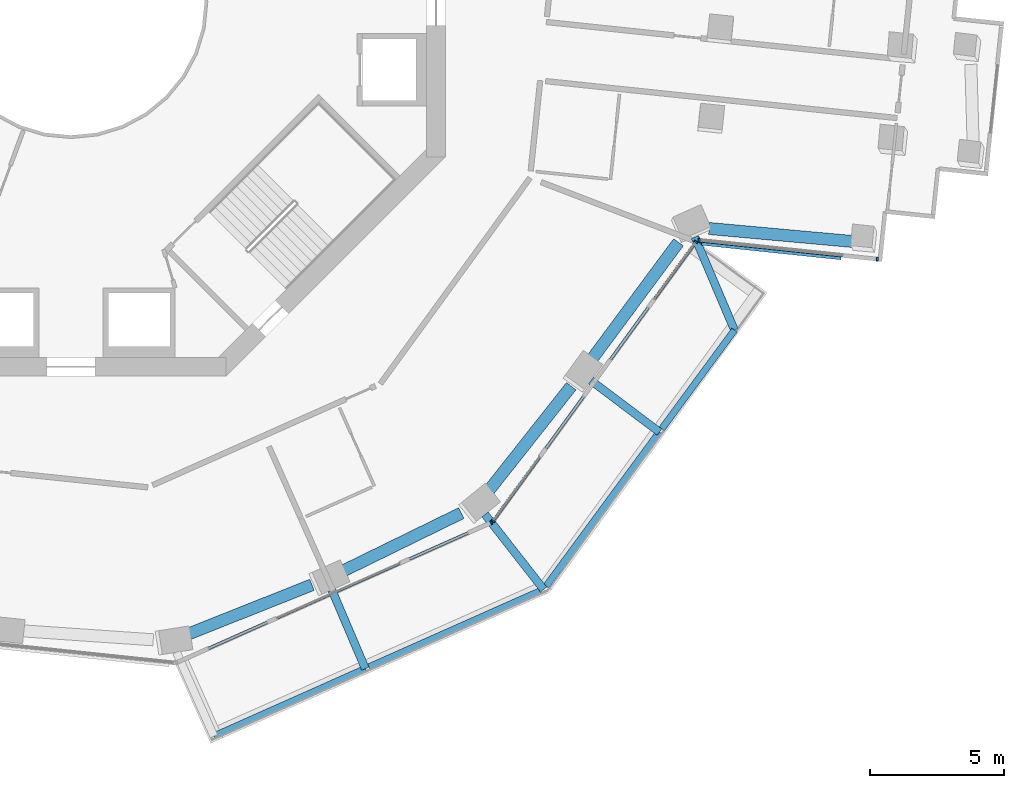
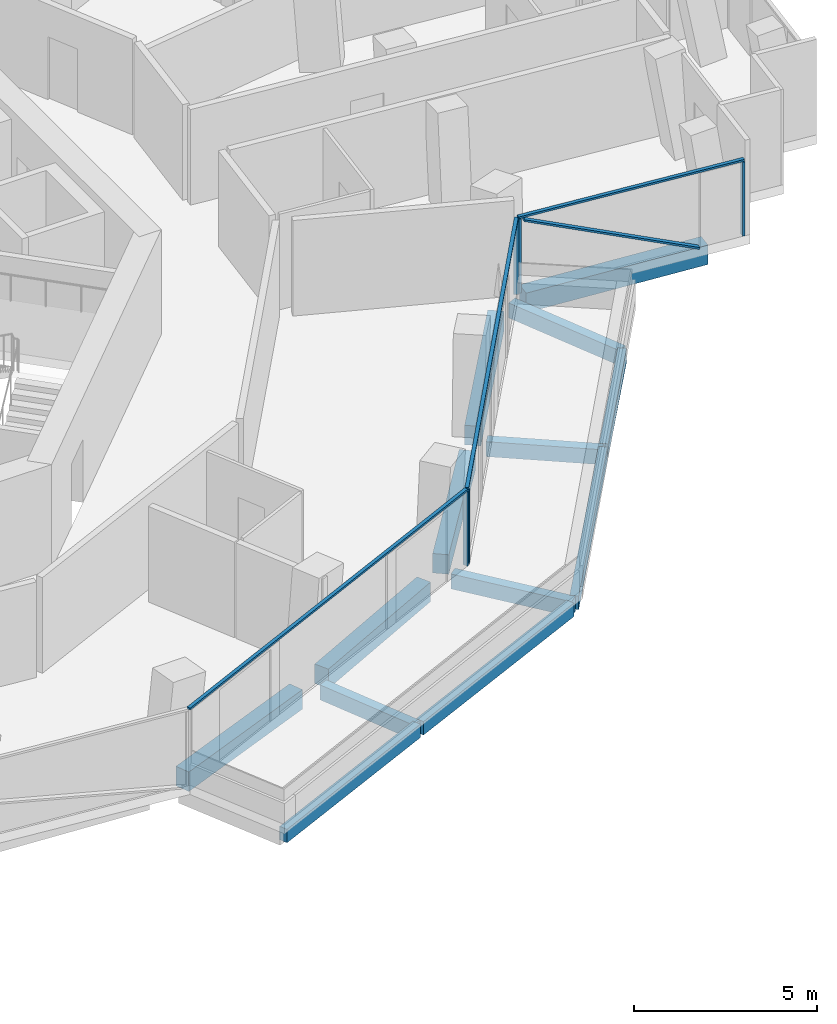
# One storey, part 5 of 23: 13 beams, 9 members, 3 elements without a shape of their own.
"""IFC4 building model written with IfcOpenShell, lengths in metres."""

from ifc_helpers import new_model, si_unit, direction, frame, origin, origin_2d, place, context, subcontext, project, spatial, rectangle, extrude, material, layer, layer_set, material_profile, profile_set, type_object, element, aggregate, save


model = new_model("IFC4")

# Units and contexts
model_context = context("Model", 3, precision=1e-05, world=origin(), true_north=direction((0.0, 1.0)))
body_context = subcontext(model_context, "Body", "Model", "MODEL_VIEW")
ifc_project = project(units=[si_unit("LENGTHUNIT", "METRE"), si_unit("AREAUNIT", "SQUARE_METRE"), si_unit("VOLUMEUNIT", "CUBIC_METRE"), si_unit("PLANEANGLEUNIT", "RADIAN"), si_unit("MASSUNIT", "GRAM", prefix="KILO")], contexts=[model_context])

# Site, building, storey
site_placement = place(None, origin())
site = spatial("IfcSite", under=ifc_project, at=site_placement, CompositionType="ELEMENT")
building_placement = place(site_placement, origin())
building = spatial("IfcBuilding", under=site, at=building_placement, Name="Verdalira Terraces Hotel", CompositionType="ELEMENT")
storey_placement = place(building_placement, frame((0.0, 0.0, 133.0)))
storey = spatial("IfcBuildingStorey", under=building, at=storey_placement, Name="L31", CompositionType="ELEMENT", Elevation=133.0)

# Beams
ifc_material_1 = material(Name="Concrete C40", Category="concrete")
ifc_material_profile_1 = material_profile(ifc_material_1, rectangle(XDim=0.300049, YDim=0.5, at=origin_2d()), Name="RC 300X500")
ifc_profile_set_1 = profile_set([ifc_material_profile_1], Name="Concrete C40")
beam_type_1 = type_object("IfcBeamType", Name="Balcony cantilever beam RC 300X500 C40", PredefinedType="BEAM", material=ifc_profile_set_1)
beam_1_placement = place(storey_placement, frame((9.756104, -21.991211, -0.560059), z_axis=(0.39138614, -0.920226543, 0.0), x_axis=(0.920226543, 0.39138614, 0.0)))
element("IfcBeam", 1, at=beam_1_placement, inside=storey, type_object=beam_type_1, Name="Balcony cantilever beam R26-2", PredefinedType="BEAM", context=body_context, shape_type="SweptSolid", body=[
    extrude(rectangle(XDim=0.300049, YDim=0.5, at=origin_2d()), origin(), (0.0, 0.0, 1.0), 3.200684),
])
beam_2_placement = place(storey_placement, frame((15.482666, -19.171387, -0.560059), z_axis=(0.616226881, -0.787568683, 0.0), x_axis=(0.787568683, 0.616226881, 0.0)))
element("IfcBeam", 2, at=beam_2_placement, inside=storey, type_object=beam_type_1, Name="Balcony cantilever beam R26-3", PredefinedType="BEAM", context=body_context, shape_type="SweptSolid", body=[
    extrude(rectangle(XDim=0.300049, YDim=0.5, at=origin_2d()), origin(), (0.0, 0.0, 1.0), 3.559326),
])
beam_3_placement = place(storey_placement, frame((19.44458, -14.166992, -0.560059), z_axis=(0.799083738, -0.601219743, 0.0), x_axis=(0.601219743, 0.799083738, 0.0)))
element("IfcBeam", 3, at=beam_3_placement, inside=storey, type_object=beam_type_1, Name="Balcony cantilever beam R26-4", PredefinedType="BEAM", context=body_context, shape_type="SweptSolid", body=[
    extrude(rectangle(XDim=0.300049, YDim=0.5, at=origin_2d()), origin(), (0.0, 0.0, 1.0), 3.200684),
])
beam_4_placement = place(storey_placement, frame((23.331299, -8.805176, -0.560059), z_axis=(0.391372165, -0.920232486, 0.0), x_axis=(0.920232486, 0.391372165, 0.0)))
element("IfcBeam", 4, at=beam_4_placement, inside=storey, type_object=beam_type_1, Name="Balcony cantilever beam R26-5", PredefinedType="BEAM", context=body_context, shape_type="SweptSolid", body=[
    extrude(rectangle(XDim=0.300049, YDim=0.5, at=origin_2d()), origin(), (0.0, 0.0, 1.0), 3.773438),
])
ifc_material_2 = material(Name="Concrete C40", Category="concrete")
ifc_material_profile_2 = material_profile(ifc_material_2, rectangle(XDim=0.25, YDim=0.449951, at=origin_2d()), Name="RC 250X450")
ifc_profile_set_2 = profile_set([ifc_material_profile_2], Name="Concrete C40")
beam_type_2 = type_object("IfcBeamType", Name="Balcony edge beam RC 250X450 C40", PredefinedType="BEAM", material=ifc_profile_set_2)
beam_5_placement = place(storey_placement, frame((5.344482, -27.458496, -0.534912), z_axis=(0.913541811, 0.406744834, 0.0), x_axis=(-0.406744834, 0.913541811, 0.0)))
element("IfcBeam", 5, at=beam_5_placement, inside=storey, type_object=beam_type_2, Name="Balcony edge beam R26-1", PredefinedType="BEAM", context=body_context, shape_type="SweptSolid", body=[
    extrude(rectangle(XDim=0.25, YDim=0.449951, at=origin_2d()), origin(), (0.0, 0.0, 1.0), 6.200439),
])
beam_6_placement = place(storey_placement, frame((11.145752, -24.875732, -0.534912), z_axis=(0.913872022, 0.406002374, 0.0), x_axis=(-0.406002374, 0.913872022, 0.0)))
element("IfcBeam", 6, at=beam_6_placement, inside=storey, type_object=beam_type_2, Name="Balcony edge beam R26-2", PredefinedType="BEAM", context=body_context, shape_type="SweptSolid", body=[
    extrude(rectangle(XDim=0.25, YDim=0.449951, at=origin_2d()), origin(), (0.0, 0.0, 1.0), 6.990967),
])
beam_7_placement = place(storey_placement, frame((17.768311, -21.849121, -0.534912), z_axis=(0.59240871, 0.805637586, 0.0), x_axis=(-0.805637586, 0.59240871, 0.0)))
element("IfcBeam", 7, at=beam_7_placement, inside=storey, type_object=beam_type_2, Name="Balcony edge beam R26-3", PredefinedType="BEAM", context=body_context, shape_type="SweptSolid", body=[
    extrude(rectangle(XDim=0.25, YDim=0.449951, at=origin_2d()), origin(), (0.0, 0.0, 1.0), 7.146973),
])
beam_8_placement = place(storey_placement, frame((22.091064, -15.970703, -0.534912), z_axis=(0.592604919, 0.805493271, 0.0), x_axis=(-0.805493271, 0.592604919, 0.0)))
element("IfcBeam", 8, at=beam_8_placement, inside=storey, type_object=beam_type_2, Name="Balcony edge beam R26-4", PredefinedType="BEAM", context=body_context, shape_type="SweptSolid", body=[
    extrude(rectangle(XDim=0.25, YDim=0.449951, at=origin_2d()), origin(), (0.0, 0.0, 1.0), 4.584961),
])

# Curtain wall, member
ifc_material_3 = material(Name="Clear glass", Category="glass")
ifc_layer_1 = layer(ifc_material_3, 0.14990234375)
ifc_layer_set_1 = layer_set([ifc_layer_1], Name="CW1 curtain wall")
curtain_wall_type_1 = type_object("IfcCurtainWallType", Name="CW1 curtain wall", PredefinedType="NOTDEFINED", material=ifc_layer_set_1)
curtain_wall_1_placement = place(storey_placement, origin())
curtain_wall_1 = element("IfcCurtainWall", 9, at=curtain_wall_1_placement, inside=storey, type_object=curtain_wall_type_1, Name="CW1 curtain wall L31 edge 26", PredefinedType="NOTDEFINED")
ifc_material_4 = material(Name="Terracotta frame", Category="masonry")
ifc_material_profile_3 = material_profile(ifc_material_4, rectangle(XDim=0.060059, YDim=0.149902, at=origin_2d()), Name="MU 60x150")
ifc_profile_set_3 = profile_set([ifc_material_profile_3], Name="Terracotta frame")
member_type_1 = type_object("IfcMemberType", Name="CW1 mullion 60x150", PredefinedType="MULLION", material=ifc_profile_set_3)
member_1_placement = place(storey_placement, frame((15.710205, -19.477295, 0.0), z_axis=(0.0, 0.0, 1.0), x_axis=(0.913545458, 0.406736643, 0.0)))
member_1 = element("IfcMember", 10, at=member_1_placement, type_object=member_type_1, Name="CW1 mullion", PredefinedType="MULLION", context=body_context, shape_type="SweptSolid", body=[
    extrude(rectangle(XDim=0.060059, YDim=0.149902, at=origin_2d()), origin(), (0.0, 0.0, 1.0), 2.475098),
])

# Curtain wall, members
curtain_wall_2_placement = place(storey_placement, origin())
curtain_wall_2 = element("IfcCurtainWall", 11, at=curtain_wall_2_placement, inside=storey, type_object=curtain_wall_type_1, Name="CW1 curtain wall L31 edge 27", PredefinedType="NOTDEFINED")
member_2_placement = place(storey_placement, frame((15.7854, -19.416504, 0.0), z_axis=(0.0, 0.0, 1.0), x_axis=(0.587785252, 0.809016994, 0.0)))
member_2 = element("IfcMember", 12, at=member_2_placement, type_object=member_type_1, Name="CW1 mullion", PredefinedType="MULLION", context=body_context, shape_type="SweptSolid", body=[
    extrude(rectangle(XDim=0.060059, YDim=0.149902, at=origin_2d()), origin(), (0.0, 0.0, 1.0), 2.475098),
])
member_3_placement = place(storey_placement, frame((23.367676, -8.980225, 0.0), z_axis=(0.0, 0.0, 1.0), x_axis=(0.587785252, 0.809016994, 0.0)))
member_3 = element("IfcMember", 13, at=member_3_placement, type_object=member_type_1, Name="CW1 mullion", PredefinedType="MULLION", context=body_context, shape_type="SweptSolid", body=[
    extrude(rectangle(XDim=0.060059, YDim=0.149902, at=origin_2d()), origin(), (0.0, 0.0, 1.0), 2.475098),
])

# Member
ifc_material_5 = material(Name="Terracotta frame", Category="masonry")
ifc_material_profile_4 = material_profile(ifc_material_5, rectangle(XDim=0.110107, YDim=0.064941, at=origin_2d()), Name="TR 65x110")
ifc_profile_set_4 = profile_set([ifc_material_profile_4], Name="Terracotta frame")
member_type_2 = type_object("IfcMemberType", Name="CW1 transom 65x110", PredefinedType="USERDEFINED", material=ifc_profile_set_4)
member_4_placement = place(storey_placement, frame((3.934814, -24.719971, 2.507568), z_axis=(0.913546409, 0.406734505, 0.0), x_axis=(-0.406734505, 0.913546409, 0.0)))
member_4 = element("IfcMember", 14, at=member_4_placement, type_object=member_type_2, Name="CW1 transom", ObjectType="TRANSOM", PredefinedType="USERDEFINED", context=body_context, shape_type="SweptSolid", body=[
    extrude(rectangle(XDim=0.110107, YDim=0.064941, at=origin_2d()), origin(), (0.0, 0.0, 1.0), 12.919678),
])

aggregate(curtain_wall_1, [member_1, member_4])

member_5_placement = place(storey_placement, frame((15.767822, -19.440674, 2.507568), z_axis=(0.587780704, 0.809020299, 0.0), x_axis=(-0.809020299, 0.587780704, 0.0)))
member_5 = element("IfcMember", 15, at=member_5_placement, type_object=member_type_2, Name="CW1 transom", ObjectType="TRANSOM", PredefinedType="USERDEFINED", context=body_context, shape_type="SweptSolid", body=[
    extrude(rectangle(XDim=0.110107, YDim=0.064941, at=origin_2d()), origin(), (0.0, 0.0, 1.0), 12.959717),
])

aggregate(curtain_wall_2, [member_2, member_3, member_5])

# Curtain wall, members
ifc_material_6 = material(Name="Clear glass", Category="glass")
ifc_layer_2 = layer(ifc_material_6, 0.14990234375)
ifc_layer_set_2 = layer_set([ifc_layer_2], Name="CW2 curtain wall")
curtain_wall_type_2 = type_object("IfcCurtainWallType", Name="CW2 curtain wall", PredefinedType="NOTDEFINED", material=ifc_layer_set_2)
curtain_wall_3_placement = place(storey_placement, origin())
curtain_wall_3 = element("IfcCurtainWall", 16, at=curtain_wall_3_placement, inside=storey, type_object=curtain_wall_type_2, Name="CW2 curtain wall L31 edge 28", PredefinedType="NOTDEFINED")
ifc_material_7 = material(Name="Terracotta frame", Category="masonry")
ifc_material_profile_5 = material_profile(ifc_material_7, rectangle(XDim=0.070068, YDim=0.149902, at=origin_2d()), Name="MU 70x150")
ifc_profile_set_5 = profile_set([ifc_material_profile_5], Name="Terracotta frame")
member_type_3 = type_object("IfcMemberType", Name="CW2 mullion 70x150", PredefinedType="MULLION", material=ifc_profile_set_5)
member_6_placement = place(storey_placement, frame((23.48877, -8.929199, 0.0), z_axis=(0.0, 0.0, 1.0), x_axis=(0.994521895, -0.104528463, 0.0)))
member_6 = element("IfcMember", 17, at=member_6_placement, type_object=member_type_3, Name="CW2 mullion", PredefinedType="MULLION", context=body_context, shape_type="SweptSolid", body=[
    extrude(rectangle(XDim=0.070068, YDim=0.149902, at=origin_2d()), origin(), (0.0, 0.0, 1.0), 2.475098),
])
member_7_placement = place(storey_placement, frame((30.145508, -9.628906, 0.0), z_axis=(0.0, 0.0, 1.0), x_axis=(0.994521895, -0.104528463, 0.0)))
member_7 = element("IfcMember", 18, at=member_7_placement, type_object=member_type_3, Name="CW2 mullion", PredefinedType="MULLION", context=body_context, shape_type="SweptSolid", body=[
    extrude(rectangle(XDim=0.070068, YDim=0.149902, at=origin_2d()), origin(), (0.0, 0.0, 1.0), 2.475098),
])
ifc_material_8 = material(Name="Terracotta frame", Category="masonry")
ifc_material_profile_6 = material_profile(ifc_material_8, rectangle(XDim=0.11499, YDim=0.064941, at=origin_2d()), Name="TR 65x115")
ifc_profile_set_6 = profile_set([ifc_material_profile_6], Name="Terracotta frame")
member_type_4 = type_object("IfcMemberType", Name="CW2 transom 65x115", PredefinedType="USERDEFINED", material=ifc_profile_set_6)
member_8_placement = place(storey_placement, frame((23.453857, -8.925537, 2.507568), z_axis=(0.99452087, -0.104538218, 0.0), x_axis=(0.104538218, 0.99452087, 0.0)))
member_8 = element("IfcMember", 19, at=member_8_placement, type_object=member_type_4, Name="CW2 transom", ObjectType="TRANSOM", PredefinedType="USERDEFINED", context=body_context, shape_type="SweptSolid", body=[
    extrude(rectangle(XDim=0.11499, YDim=0.064941, at=origin_2d()), origin(), (0.0, 0.0, 1.0), 6.763428),
])
ifc_material_9 = material(Name="Terracotta frame", Category="masonry")
ifc_material_profile_7 = material_profile(ifc_material_9, rectangle(XDim=0.149902, YDim=0.060059, at=origin_2d()), Name="GB 60x150")
ifc_profile_set_7 = profile_set([ifc_material_profile_7], Name="Terracotta frame")
member_type_5 = type_object("IfcMemberType", Name="Diagonal glazing bar 60x150", PredefinedType="USERDEFINED", material=ifc_profile_set_7)
member_9_placement = place(storey_placement, frame((23.574463, -9.029541, 2.447021), z_axis=(0.902846121, -0.094893864, -0.419361463), x_axis=(0.104529457, 0.994521791, 0.0)))
member_9 = element("IfcMember", 20, at=member_9_placement, type_object=member_type_5, Name="Diagonal glazing bar", ObjectType="GLAZING BAR", PredefinedType="USERDEFINED", context=body_context, shape_type="SweptSolid", body=[
    extrude(rectangle(XDim=0.149902, YDim=0.060059, at=origin_2d()), origin(), (0.0, 0.0, 1.0), 5.768066),
])
aggregate(curtain_wall_3, [member_6, member_7, member_8, member_9])

# Beams
ifc_material_10 = material(Name="Concrete C50", Category="concrete")
ifc_material_profile_8 = material_profile(ifc_material_10, rectangle(XDim=0.449951, YDim=0.649902, at=origin_2d()), Name="RC 450X650")
ifc_profile_set_8 = profile_set([ifc_material_profile_8], Name="Concrete C50")
beam_type_3 = type_object("IfcBeamType", Name="Spandrel beam RC 450X650 C50", PredefinedType="SPANDREL", material=ifc_profile_set_8)
beam_9_placement = place(storey_placement, frame((4.351562, -23.656738, -0.63501), z_axis=(0.929246805, 0.369459573, 0.0), x_axis=(-0.369459573, 0.929246805, 0.0)))
element("IfcBeam", 21, at=beam_9_placement, inside=storey, type_object=beam_type_3, Name="Spandrel beam B11", PredefinedType="SPANDREL", context=body_context, shape_type="SweptSolid", body=[
    extrude(rectangle(XDim=0.449951, YDim=0.649902, at=origin_2d()), origin(), (0.0, 0.0, 1.0), 5.015625),
])
beam_10_placement = place(storey_placement, frame((10.093506, -21.324463, -0.63501), z_axis=(0.898242089, 0.439501023, 0.0), x_axis=(-0.439501023, 0.898242089, 0.0)))
element("IfcBeam", 22, at=beam_10_placement, inside=storey, type_object=beam_type_3, Name="Spandrel beam B12", PredefinedType="SPANDREL", context=body_context, shape_type="SweptSolid", body=[
    extrude(rectangle(XDim=0.449951, YDim=0.649902, at=origin_2d()), origin(), (0.0, 0.0, 1.0), 5.012207),
])
beam_11_placement = place(storey_placement, frame((15.596924, -18.311523, -0.63501), z_axis=(0.620041928, 0.784568676, 0.0), x_axis=(-0.784568676, 0.620041928, 0.0)))
element("IfcBeam", 23, at=beam_11_placement, inside=storey, type_object=beam_type_3, Name="Spandrel beam B13", PredefinedType="SPANDREL", context=body_context, shape_type="SweptSolid", body=[
    extrude(rectangle(XDim=0.449951, YDim=0.649902, at=origin_2d()), origin(), (0.0, 0.0, 1.0), 5.015625),
])
beam_12_placement = place(storey_placement, frame((19.414062, -13.452393, -0.63501), z_axis=(0.595382341, 0.803442511, 0.0), x_axis=(-0.803442511, 0.595382341, 0.0)))
element("IfcBeam", 24, at=beam_12_placement, inside=storey, type_object=beam_type_3, Name="Spandrel beam B14", PredefinedType="SPANDREL", context=body_context, shape_type="SweptSolid", body=[
    extrude(rectangle(XDim=0.449951, YDim=0.649902, at=origin_2d()), origin(), (0.0, 0.0, 1.0), 5.544434),
])
beam_13_placement = place(storey_placement, frame((23.862549, -8.481201, -0.63501), z_axis=(0.995921643, -0.090222401, 0.0), x_axis=(0.090222401, 0.995921643, 0.0)))
element("IfcBeam", 25, at=beam_13_placement, inside=storey, type_object=beam_type_3, Name="Spandrel beam B15", PredefinedType="SPANDREL", context=body_context, shape_type="SweptSolid", body=[
    extrude(rectangle(XDim=0.449951, YDim=0.649902, at=origin_2d()), origin(), (0.0, 0.0, 1.0), 5.479736),
])

save(model, "model.ifc")
